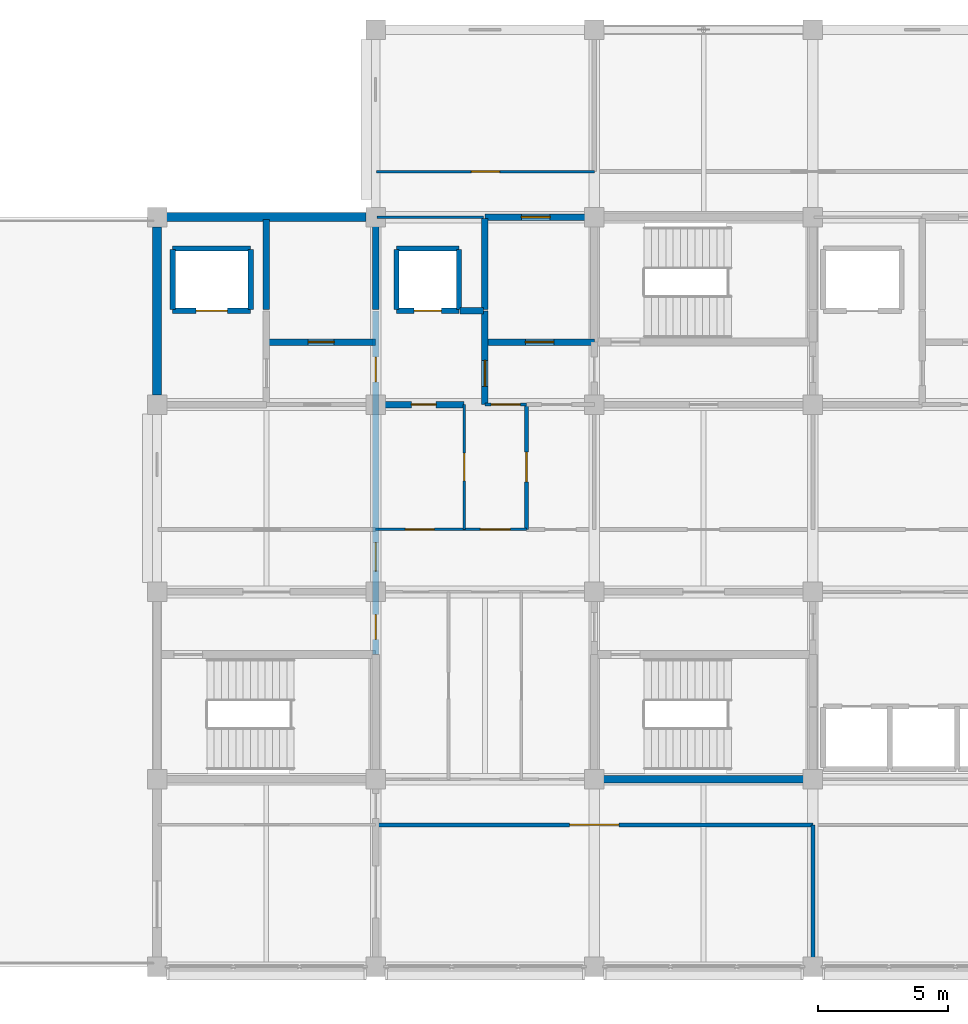
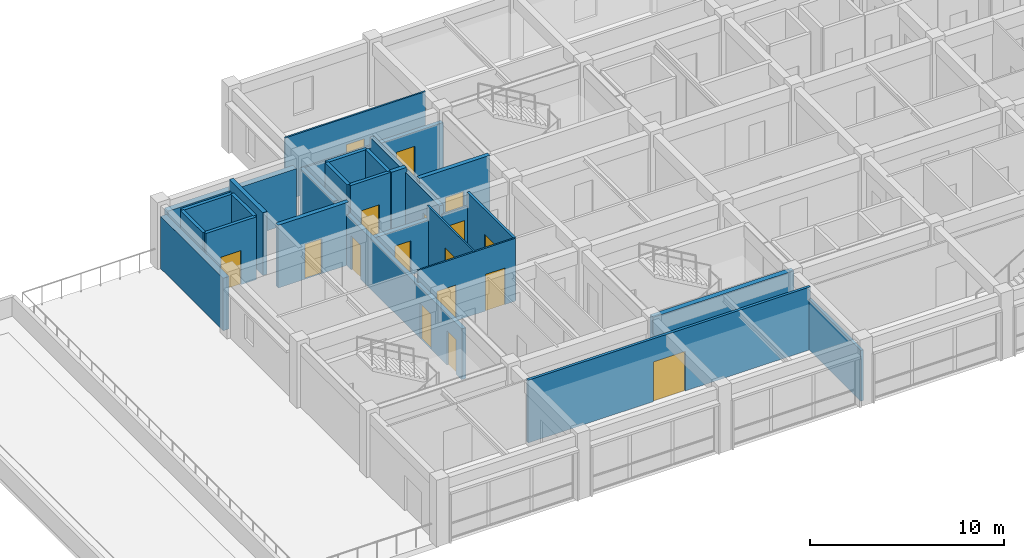
# One storey, part 15 of 27: 29 walls, 17 doors, 17 openings.
"""IFC4 building model written with IfcOpenShell, lengths in metres."""

from ifc_helpers import new_model, si_unit, direction, frame, frame_2d, origin, place, context, subcontext, project, spatial, rectangle, extrude, material, layer, layer_set, type_object, element, fill, save


model = new_model("IFC4")

# Units and contexts
model_context = context("Model", 3, precision=1e-05, world=origin(), true_north=direction((0.0, 1.0)))
body_context = subcontext(model_context, "Body", "Model", "MODEL_VIEW")
ifc_project = project(units=[si_unit("LENGTHUNIT", "METRE"), si_unit("AREAUNIT", "SQUARE_METRE"), si_unit("VOLUMEUNIT", "CUBIC_METRE"), si_unit("PLANEANGLEUNIT", "RADIAN"), si_unit("MASSUNIT", "GRAM", prefix="KILO")], contexts=[model_context])

# Site, building, storey
site_placement = place(None, origin())
site = spatial("IfcSite", under=ifc_project, at=site_placement, CompositionType="ELEMENT")
building_placement = place(site_placement, origin())
building = spatial("IfcBuilding", under=site, at=building_placement, Name="Chengyuan Square Courthouse", CompositionType="ELEMENT")
storey_placement = place(building_placement, frame((0.0, 0.0, 35.10009765625)))
storey = spatial("IfcBuildingStorey", under=building, at=storey_placement, Name="L08", CompositionType="ELEMENT", Elevation=35.10009765625)

# Walls
ifc_material_1 = material(Name="Concrete C40", Category="concrete")
ifc_layer_1 = layer(ifc_material_1, 0.35009765625)
ifc_layer_set_1 = layer_set([ifc_layer_1], Name="Concrete C40")
wall_type_1 = type_object("IfcWallType", Name="WL-EW2", PredefinedType="STANDARD", material=ifc_layer_set_1)
wall_1_placement = place(storey_placement, frame((42.3701171875, 108.0, 0.0), z_axis=(0.0, 0.0, 1.0), x_axis=(1.0, 0.0, 0.0)))
element("IfcWall", 1, at=wall_1_placement, inside=storey, type_object=wall_type_1, Name="Exterior Wall WL-L08-E398", PredefinedType="STANDARD", context=body_context, shape_type="SweptSolid", body=[
    extrude(rectangle(XDim=7.659912109375, YDim=0.35009765625, at=frame_2d((3.830078125, 0.0))), origin(), (0.0, 0.0, 1.0), 3.2998046875),
])
wall_2_placement = place(storey_placement, frame((42.0, 101.169921875, 0.0), z_axis=(0.0, 0.0, 1.0), x_axis=(0.0, 1.0, 0.0)))
element("IfcWall", 2, at=wall_2_placement, inside=storey, type_object=wall_type_1, Name="Exterior Wall WL-L08-E399", PredefinedType="STANDARD", context=body_context, shape_type="SweptSolid", body=[
    extrude(rectangle(XDim=6.4599609375, YDim=0.35009765625, at=frame_2d((3.22998046875, 0.0))), origin(), (0.0, 0.0, 1.0), 3.2998046875),
])

# Wall, opening, door
ifc_layer_2 = layer(ifc_material_1, 0.25)
ifc_layer_set_2 = layer_set([ifc_layer_2], Name="Concrete C40")
wall_type_2 = type_object("IfcWallType", Name="WL-FW1", PredefinedType="STANDARD", material=ifc_layer_set_2)
wall_3_placement = place(storey_placement, frame((50.39990234375, 100.800048828125, 0.0), z_axis=(0.0, 0.0, 1.0), x_axis=(1.0, 0.0, 0.0)))
wall_3 = element("IfcWall", 3, at=wall_3_placement, inside=storey, type_object=wall_type_2, Name="Interior Wall WL-L08-I2917", PredefinedType="STANDARD", context=body_context, shape_type="SweptSolid", body=[
    extrude(rectangle(XDim=3.400146484375, YDim=0.25, at=frame_2d((1.7001953125, 0.0))), origin(), (0.0, 0.0, 1.0), 3.099853515625),
])
opening_1_placement = place(wall_3_placement, frame((1.37255859375, 0.0, 0.0)))
opening_1 = element("IfcOpeningElement", 4, at=opening_1_placement, cuts=wall_3, Name="Opening DR-2547", PredefinedType="OPENING", context=body_context, shape_type="SweptSolid", body=[
    extrude(rectangle(XDim=0.949951171875, YDim=2.14990234375, at=frame_2d((0.47509765625, 1.074951171875))), frame((0.0, 0.136962890625, 0.0), z_axis=(0.0, -1.0, 0.0), x_axis=(1.0, 0.0, 0.0)), (0.0, 0.0, 1.0), 0.27392578125),
])
ifc_material_2 = material(Name="Steel Q235B Fire Door", Category="steel")
door_type_1 = type_object("IfcDoorType", Name="DT-12", OperationType="NOTDEFINED", PredefinedType="DOOR", material=ifc_material_2)
door_1_placement = place(opening_1_placement, origin())
door_1 = element("IfcDoor", 5, at=door_1_placement, inside=storey, type_object=door_type_1, Name="Interior Door DR-2547", OperationType="SINGLE_SWING_RIGHT", OverallHeight=2.14990234375, OverallWidth=0.949951171875, PredefinedType="DOOR", context=body_context, shape_type="SweptSolid", body=[
    extrude(rectangle(XDim=0.949951171875, YDim=2.14990234375, at=frame_2d((0.47509765625, 1.074951171875))), frame((0.0, 0.02490234375, 0.0), z_axis=(0.0, -1.0, 0.0), x_axis=(1.0, 0.0, 0.0)), (0.0, 0.0, 1.0), 0.050048828125),
])
fill(opening_1, door_1)

wall_4_placement = place(storey_placement, frame((46.199951171875, 103.199951171875, 0.0), z_axis=(0.0, 0.0, 1.0), x_axis=(1.0, 0.0, 0.0)))
wall_4 = element("IfcWall", 6, at=wall_4_placement, inside=storey, type_object=wall_type_2, Name="Interior Wall WL-L08-I2929", PredefinedType="STANDARD", context=body_context, shape_type="SweptSolid", body=[
    extrude(rectangle(XDim=4.199951171875, YDim=0.25, at=frame_2d((2.10009765625, 0.0))), origin(), (0.0, 0.0, 1.0), 3.949951171875),
])
opening_2_placement = place(wall_4_placement, frame((1.60009765625, 0.0, 0.0)))
opening_2 = element("IfcOpeningElement", 7, at=opening_2_placement, cuts=wall_4, Name="Opening DR-2528", PredefinedType="OPENING", context=body_context, shape_type="SweptSolid", body=[
    extrude(rectangle(XDim=1.0, YDim=2.199951171875, at=frame_2d((0.5, 1.10009765625))), frame((0.0, 0.136962890625, 0.0), z_axis=(0.0, -1.0, 0.0), x_axis=(1.0, 0.0, 0.0)), (0.0, 0.0, 1.0), 0.27392578125),
])
door_type_2 = type_object("IfcDoorType", Name="DT-11", OperationType="NOTDEFINED", PredefinedType="DOOR", material=ifc_material_2)
door_2_placement = place(opening_2_placement, origin())
door_2 = element("IfcDoor", 8, at=door_2_placement, inside=storey, type_object=door_type_2, Name="Interior Door DR-2528", OperationType="SINGLE_SWING_RIGHT", OverallHeight=2.199951171875, OverallWidth=1.0, PredefinedType="DOOR", context=body_context, shape_type="SweptSolid", body=[
    extrude(rectangle(XDim=1.0, YDim=2.199951171875, at=frame_2d((0.5, 1.10009765625))), frame((0.0, 0.02490234375, 0.0), z_axis=(0.0, -1.0, 0.0), x_axis=(1.0, 0.0, 0.0)), (0.0, 0.0, 1.0), 0.050048828125),
])
fill(opening_2, door_2)

wall_5_placement = place(storey_placement, frame((54.60009765625, 103.199951171875, 0.0), z_axis=(0.0, 0.0, 1.0), x_axis=(1.0, 0.0, 0.0)))
wall_5 = element("IfcWall", 9, at=wall_5_placement, inside=storey, type_object=wall_type_2, Name="Interior Wall WL-L08-I2930", PredefinedType="STANDARD", context=body_context, shape_type="SweptSolid", body=[
    extrude(rectangle(XDim=4.199951171875, YDim=0.25, at=frame_2d((2.10009765625, 0.0))), origin(), (0.0, 0.0, 1.0), 3.949951171875),
])
opening_3_placement = place(wall_5_placement, frame((1.550048828125, 0.0, 0.0)))
opening_3 = element("IfcOpeningElement", 10, at=opening_3_placement, cuts=wall_5, Name="Opening DR-2548", PredefinedType="OPENING", context=body_context, shape_type="SweptSolid", body=[
    extrude(rectangle(XDim=1.10009765625, YDim=2.199951171875, at=frame_2d((0.550048828125, 1.10009765625))), frame((0.0, 0.136962890625, 0.0), z_axis=(0.0, -1.0, 0.0), x_axis=(1.0, 0.0, 0.0)), (0.0, 0.0, 1.0), 0.27392578125),
])
door_type_3 = type_object("IfcDoorType", Name="DT-10", OperationType="NOTDEFINED", PredefinedType="DOOR", material=ifc_material_2)
door_3_placement = place(opening_3_placement, origin())
door_3 = element("IfcDoor", 11, at=door_3_placement, inside=storey, type_object=door_type_3, Name="Interior Door DR-2548", OperationType="SINGLE_SWING_LEFT", OverallHeight=2.199951171875, OverallWidth=1.10009765625, PredefinedType="DOOR", context=body_context, shape_type="SweptSolid", body=[
    extrude(rectangle(XDim=1.10009765625, YDim=2.199951171875, at=frame_2d((0.550048828125, 1.10009765625))), frame((0.0, 0.02490234375, 0.0), z_axis=(0.0, -1.0, 0.0), x_axis=(1.0, 0.0, 0.0)), (0.0, 0.0, 1.0), 0.050048828125),
])
fill(opening_3, door_3)

# Wall
wall_6_placement = place(storey_placement, frame((53.64990234375, 104.39990234375, 0.0), z_axis=(0.0, 0.0, 1.0), x_axis=(1.0, 0.0, 0.0)))
element("IfcWall", 12, at=wall_6_placement, inside=storey, type_object=wall_type_2, Name="Interior Wall WL-L08-I2939", PredefinedType="STANDARD", context=body_context, shape_type="SweptSolid", body=[
    extrude(rectangle(XDim=0.900146484375, YDim=0.25, at=frame_2d((0.4501953125, 0.0))), origin(), (0.0, 0.0, 1.0), 3.949951171875),
])

# Wall, opening, door
wall_7_placement = place(storey_placement, frame((54.60009765625, 108.0, 0.0), z_axis=(0.0, 0.0, 1.0), x_axis=(1.0, 0.0, 0.0)))
wall_7 = element("IfcWall", 13, at=wall_7_placement, inside=storey, type_object=wall_type_2, Name="Interior Wall WL-L08-I2961", PredefinedType="STANDARD", context=body_context, shape_type="SweptSolid", body=[
    extrude(rectangle(XDim=4.199951171875, YDim=0.25, at=frame_2d((2.10009765625, 0.0))), origin(), (0.0, 0.0, 1.0), 3.099853515625),
])
opening_4_placement = place(wall_7_placement, frame((1.402587890625, 0.0, 0.0)))
opening_4 = element("IfcOpeningElement", 14, at=opening_4_placement, cuts=wall_7, Name="Opening DR-2551", PredefinedType="OPENING", context=body_context, shape_type="SweptSolid", body=[
    extrude(rectangle(XDim=1.10009765625, YDim=2.199951171875, at=frame_2d((0.550048828125, 1.10009765625))), frame((0.0, 0.136962890625, 0.0), z_axis=(0.0, -1.0, 0.0), x_axis=(1.0, 0.0, 0.0)), (0.0, 0.0, 1.0), 0.27392578125),
])
door_4_placement = place(opening_4_placement, origin())
door_4 = element("IfcDoor", 15, at=door_4_placement, inside=storey, type_object=door_type_3, Name="Interior Door DR-2551", OperationType="SINGLE_SWING_RIGHT", OverallHeight=2.199951171875, OverallWidth=1.10009765625, PredefinedType="DOOR", context=body_context, shape_type="SweptSolid", body=[
    extrude(rectangle(XDim=1.10009765625, YDim=2.199951171875, at=frame_2d((0.550048828125, 1.10009765625))), frame((0.0, 0.02490234375, 0.0), z_axis=(0.0, -1.0, 0.0), x_axis=(1.0, 0.0, 0.0)), (0.0, 0.0, 1.0), 0.050048828125),
])
fill(opening_4, door_4)

# Wall
wall_8_placement = place(storey_placement, frame((46.199951171875, 104.449951171875, 0.0), z_axis=(0.0, 0.0, 1.0), x_axis=(0.0, 1.0, 0.0)))
element("IfcWall", 16, at=wall_8_placement, inside=storey, type_object=wall_type_2, Name="Interior Wall WL-L08-I2981", PredefinedType="STANDARD", context=body_context, shape_type="SweptSolid", body=[
    extrude(rectangle(XDim=3.4599609375, YDim=0.25, at=frame_2d((1.72998046875, 0.0))), origin(), (0.0, 0.0, 1.0), 3.949951171875),
])

# Wall, openings, doors
wall_9_placement = place(storey_placement, frame((50.39990234375, 91.199951171875, 0.0), z_axis=(0.0, 0.0, 1.0), x_axis=(0.0, 1.0, 0.0)))
wall_9 = element("IfcWall", 17, at=wall_9_placement, inside=storey, type_object=wall_type_2, Name="Interior Wall WL-L08-I2984", PredefinedType="STANDARD", context=body_context, shape_type="SweptSolid", body=[
    extrude(rectangle(XDim=13.199951171875, YDim=0.25, at=frame_2d((6.60009765625, 0.0))), origin(), (0.0, 0.0, 1.0), 3.199951171875),
])
opening_5_placement = place(wall_9_placement, frame((0.577392578125, 0.0, 0.0)))
opening_5 = element("IfcOpeningElement", 18, at=opening_5_placement, cuts=wall_9, Name="Opening DR-2514", PredefinedType="OPENING", context=body_context, shape_type="SweptSolid", body=[
    extrude(rectangle(XDim=0.949951171875, YDim=2.14990234375, at=frame_2d((0.47509765625, 1.074951171875))), frame((0.0, 0.136962890625, 0.0), z_axis=(0.0, -1.0, 0.0), x_axis=(1.0, 0.0, 0.0)), (0.0, 0.0, 1.0), 0.27392578125),
])
opening_6_placement = place(wall_9_placement, frame((10.472412109375, 0.0, 0.0)))
opening_6 = element("IfcOpeningElement", 19, at=opening_6_placement, cuts=wall_9, Name="Opening DR-2529", PredefinedType="OPENING", context=body_context, shape_type="SweptSolid", body=[
    extrude(rectangle(XDim=0.949951171875, YDim=2.14990234375, at=frame_2d((0.47509765625, 1.074951171875))), frame((0.0, 0.136962890625, 0.0), z_axis=(0.0, -1.0, 0.0), x_axis=(1.0, 0.0, 0.0)), (0.0, 0.0, 1.0), 0.27392578125),
])
opening_7_placement = place(wall_9_placement, frame((3.197509765625, 0.0, 0.0)))
opening_7 = element("IfcOpeningElement", 20, at=opening_7_placement, cuts=wall_9, Name="Opening DR-2563", PredefinedType="OPENING", context=body_context, shape_type="SweptSolid", body=[
    extrude(rectangle(XDim=1.10009765625, YDim=2.199951171875, at=frame_2d((0.550048828125, 1.10009765625))), frame((0.0, 0.136962890625, 0.0), z_axis=(0.0, -1.0, 0.0), x_axis=(1.0, 0.0, 0.0)), (0.0, 0.0, 1.0), 0.27392578125),
])
door_5_placement = place(opening_7_placement, origin())
door_5 = element("IfcDoor", 21, at=door_5_placement, inside=storey, type_object=door_type_3, Name="Interior Door DR-2563", OperationType="SINGLE_SWING_LEFT", OverallHeight=2.199951171875, OverallWidth=1.10009765625, PredefinedType="DOOR", context=body_context, shape_type="SweptSolid", body=[
    extrude(rectangle(XDim=1.10009765625, YDim=2.199951171875, at=frame_2d((0.550048828125, 1.10009765625))), frame((0.0, 0.02490234375, 0.0), z_axis=(0.0, -1.0, 0.0), x_axis=(1.0, 0.0, 0.0)), (0.0, 0.0, 1.0), 0.050048828125),
])
fill(opening_7, door_5)
door_6_placement = place(opening_5_placement, origin())
door_6 = element("IfcDoor", 22, at=door_6_placement, inside=storey, type_object=door_type_1, Name="Interior Door DR-2514", OperationType="SINGLE_SWING_LEFT", OverallHeight=2.14990234375, OverallWidth=0.949951171875, PredefinedType="DOOR", context=body_context, shape_type="SweptSolid", body=[
    extrude(rectangle(XDim=0.949951171875, YDim=2.14990234375, at=frame_2d((0.47509765625, 1.074951171875))), frame((0.0, 0.02490234375, 0.0), z_axis=(0.0, -1.0, 0.0), x_axis=(1.0, 0.0, 0.0)), (0.0, 0.0, 1.0), 0.050048828125),
])
fill(opening_5, door_6)
door_7_placement = place(opening_6_placement, origin())
door_7 = element("IfcDoor", 23, at=door_7_placement, inside=storey, type_object=door_type_1, Name="Interior Door DR-2529", OperationType="SINGLE_SWING_LEFT", OverallHeight=2.14990234375, OverallWidth=0.949951171875, PredefinedType="DOOR", context=body_context, shape_type="SweptSolid", body=[
    extrude(rectangle(XDim=0.949951171875, YDim=2.14990234375, at=frame_2d((0.47509765625, 1.074951171875))), frame((0.0, 0.02490234375, 0.0), z_axis=(0.0, -1.0, 0.0), x_axis=(1.0, 0.0, 0.0)), (0.0, 0.0, 1.0), 0.050048828125),
])
fill(opening_6, door_7)

# Wall
wall_10_placement = place(storey_placement, frame((50.39990234375, 104.449951171875, 0.0), z_axis=(0.0, 0.0, 1.0), x_axis=(0.0, 1.0, 0.0)))
element("IfcWall", 24, at=wall_10_placement, inside=storey, type_object=wall_type_2, Name="Interior Wall WL-L08-I2985", PredefinedType="STANDARD", context=body_context, shape_type="SweptSolid", body=[
    extrude(rectangle(XDim=3.4599609375, YDim=0.25, at=frame_2d((1.72998046875, 0.0))), origin(), (0.0, 0.0, 1.0), 3.199951171875),
])

# Wall, opening, door
wall_11_placement = place(storey_placement, frame((54.60009765625, 100.800048828125, 0.0), z_axis=(0.0, 0.0, 1.0), x_axis=(0.0, 1.0, 0.0)))
wall_11 = element("IfcWall", 25, at=wall_11_placement, inside=storey, type_object=wall_type_2, Name="Interior Wall WL-L08-I2990", PredefinedType="STANDARD", context=body_context, shape_type="SweptSolid", body=[
    extrude(rectangle(XDim=3.599853515625, YDim=0.25, at=frame_2d((1.7998046875, 0.0))), origin(), (0.0, 0.0, 1.0), 3.64990234375),
])
opening_8_placement = place(wall_11_placement, frame((0.699951171875, 0.0, 0.0)))
opening_8 = element("IfcOpeningElement", 26, at=opening_8_placement, cuts=wall_11, Name="Opening DR-2546", PredefinedType="OPENING", context=body_context, shape_type="SweptSolid", body=[
    extrude(rectangle(XDim=1.0, YDim=2.199951171875, at=frame_2d((0.5, 1.10009765625))), frame((0.0, 0.136962890625, 0.0), z_axis=(0.0, -1.0, 0.0), x_axis=(1.0, 0.0, 0.0)), (0.0, 0.0, 1.0), 0.27392578125),
])
door_8_placement = place(opening_8_placement, origin())
door_8 = element("IfcDoor", 27, at=door_8_placement, inside=storey, type_object=door_type_2, Name="Interior Door DR-2546", OperationType="SINGLE_SWING_LEFT", OverallHeight=2.199951171875, OverallWidth=1.0, PredefinedType="DOOR", context=body_context, shape_type="SweptSolid", body=[
    extrude(rectangle(XDim=1.0, YDim=2.199951171875, at=frame_2d((0.5, 1.10009765625))), frame((0.0, 0.02490234375, 0.0), z_axis=(0.0, -1.0, 0.0), x_axis=(1.0, 0.0, 0.0)), (0.0, 0.0, 1.0), 0.050048828125),
])
fill(opening_8, door_8)

# Wall
wall_12_placement = place(storey_placement, frame((54.60009765625, 104.449951171875, 0.0), z_axis=(0.0, 0.0, 1.0), x_axis=(0.0, 1.0, 0.0)))
element("IfcWall", 28, at=wall_12_placement, inside=storey, type_object=wall_type_2, Name="Interior Wall WL-L08-I2991", PredefinedType="STANDARD", context=body_context, shape_type="SweptSolid", body=[
    extrude(rectangle(XDim=3.5, YDim=0.25, at=frame_2d((1.75, 0.0))), origin(), (0.0, 0.0, 1.0), 3.64990234375),
])

# Wall, opening, door
ifc_material_3 = material(Name="Acoustic Timber-Lined Gypsum Partition", Category="wood")
ifc_layer_3 = layer(ifc_material_3, 0.159912109375)
ifc_layer_set_3 = layer_set([ifc_layer_3], Name="Acoustic Timber-Lined Gypsum Partition")
wall_type_3 = type_object("IfcWallType", Name="WL-PT2", PredefinedType="STANDARD", material=ifc_layer_set_3)
wall_13_placement = place(storey_placement, frame((50.39990234375, 84.64990234375, 0.0), z_axis=(0.0, 0.0, 1.0), x_axis=(1.0, 0.0, 0.0)))
wall_13 = element("IfcWall", 29, at=wall_13_placement, inside=storey, type_object=wall_type_3, Name="Interior Wall WL-L08-I2874", PredefinedType="STANDARD", context=body_context, shape_type="SweptSolid", body=[
    extrude(rectangle(XDim=16.800048828125, YDim=0.159912109375, at=frame_2d((8.39990234375, 0.0))), origin(), (0.0, 0.0, 1.0), 3.949951171875),
])
opening_9_placement = place(wall_13_placement, frame((7.449951171875, 0.0, 0.0)))
opening_9 = element("IfcOpeningElement", 30, at=opening_9_placement, cuts=wall_13, Name="Opening DR-2625", PredefinedType="OPENING", context=body_context, shape_type="SweptSolid", body=[
    extrude(rectangle(XDim=1.89990234375, YDim=2.5, at=frame_2d((0.949951171875, 1.25))), frame((0.0, 0.092041015625, 0.0), z_axis=(0.0, -1.0, 0.0), x_axis=(1.0, 0.0, 0.0)), (0.0, 0.0, 1.0), 0.183837890625),
])
ifc_material_4 = material(Name="Acoustic Larch Veneer Double Door")
door_type_4 = type_object("IfcDoorType", Name="DT-26", OperationType="DOUBLE_DOOR_SINGLE_SWING", PredefinedType="DOOR", material=ifc_material_4)
door_9_placement = place(opening_9_placement, frame((1.89990234375, 0.0, 0.0), z_axis=(0.0, 0.0, 1.0), x_axis=(-1.0, 0.0, 0.0)))
door_9 = element("IfcDoor", 31, at=door_9_placement, inside=storey, type_object=door_type_4, Name="Interior Door DR-2625", OperationType="DOUBLE_DOOR_SINGLE_SWING", OverallHeight=2.5, OverallWidth=1.89990234375, PredefinedType="DOOR", context=body_context, shape_type="SweptSolid", body=[
    extrude(rectangle(XDim=1.89990234375, YDim=2.5, at=frame_2d((0.949951171875, 1.25))), frame((0.0, 0.02490234375, 0.0), z_axis=(0.0, -1.0, 0.0), x_axis=(1.0, 0.0, 0.0)), (0.0, 0.0, 1.0), 0.050048828125),
])
fill(opening_9, door_9)

# Wall
wall_14_placement = place(storey_placement, frame((67.199951171875, 79.239990234375, 0.0), z_axis=(0.0, 0.0, 1.0), x_axis=(0.0, 1.0, 0.0)))
element("IfcWall", 32, at=wall_14_placement, inside=storey, type_object=wall_type_3, Name="Interior Wall WL-L08-I3000", PredefinedType="STANDARD", context=body_context, shape_type="SweptSolid", body=[
    extrude(rectangle(XDim=5.409912109375, YDim=0.159912109375, at=frame_2d((2.705078125, 0.0))), origin(), (0.0, 0.0, 1.0), 3.199951171875),
])

# Wall, opening, door
ifc_material_5 = material(Name="Deliberation Room Sound-Insulated Partition")
ifc_layer_4 = layer(ifc_material_5, 0.14990234375)
ifc_layer_set_4 = layer_set([ifc_layer_4], Name="Deliberation Room Sound-Insulated Partition")
wall_type_4 = type_object("IfcWallType", Name="WL-PT3", PredefinedType="STANDARD", material=ifc_layer_set_4)
wall_15_placement = place(storey_placement, frame((56.199951171875, 96.0, 0.0), z_axis=(0.0, 0.0, 1.0), x_axis=(0.0, 1.0, 0.0)))
wall_15 = element("IfcWall", 33, at=wall_15_placement, inside=storey, type_object=wall_type_4, Name="Interior Wall WL-L08-I2993", PredefinedType="STANDARD", context=body_context, shape_type="SweptSolid", body=[
    extrude(rectangle(XDim=4.800048828125, YDim=0.14990234375, at=frame_2d((2.39990234375, 0.0))), origin(), (0.0, 0.0, 1.0), 3.949951171875),
])
opening_10_placement = place(wall_15_placement, frame((1.830078125, 0.0, 0.0)))
opening_10 = element("IfcOpeningElement", 34, at=opening_10_placement, cuts=wall_15, Name="Opening DR-2592", PredefinedType="OPENING", context=body_context, shape_type="SweptSolid", body=[
    extrude(rectangle(XDim=1.139892578125, YDim=2.39990234375, at=frame_2d((0.56982421875, 1.199951171875))), frame((0.0, 0.0869140625, 0.0), z_axis=(0.0, -1.0, 0.0), x_axis=(1.0, 0.0, 0.0)), (0.0, 0.0, 1.0), 0.173828125),
])
ifc_material_6 = material(Name="Acoustic Solid-Core Timber Door", Category="wood")
door_type_5 = type_object("IfcDoorType", Name="DT-43", OperationType="NOTDEFINED", PredefinedType="DOOR", material=ifc_material_6)
door_10_placement = place(opening_10_placement, origin())
door_10 = element("IfcDoor", 35, at=door_10_placement, inside=storey, type_object=door_type_5, Name="Interior Door DR-2592", OperationType="SINGLE_SWING_RIGHT", OverallHeight=2.39990234375, OverallWidth=1.139892578125, PredefinedType="DOOR", context=body_context, shape_type="SweptSolid", body=[
    extrude(rectangle(XDim=1.139892578125, YDim=2.39990234375, at=frame_2d((0.56982421875, 1.199951171875))), frame((0.0, 0.02490234375, 0.0), z_axis=(0.0, -1.0, 0.0), x_axis=(1.0, 0.0, 0.0)), (0.0, 0.0, 1.0), 0.050048828125),
])
fill(opening_10, door_10)

# Wall, openings, doors
ifc_material_7 = material(Name="Gypsum Plasterboard Acoustic Stud Partition")
ifc_layer_5 = layer(ifc_material_7, 0.10009765625)
ifc_layer_set_5 = layer_set([ifc_layer_5], Name="Gypsum Plasterboard Acoustic Stud Partition")
wall_type_5 = type_object("IfcWallType", Name="WL-PT6", PredefinedType="STANDARD", material=ifc_layer_set_5)
wall_16_placement = place(storey_placement, frame((50.39990234375, 96.0, 0.0), z_axis=(0.0, 0.0, 1.0), x_axis=(1.0, 0.0, 0.0)))
wall_16 = element("IfcWall", 36, at=wall_16_placement, inside=storey, type_object=wall_type_5, Name="Interior Wall WL-L08-I2909", PredefinedType="STANDARD", context=body_context, shape_type="SweptSolid", body=[
    extrude(rectangle(XDim=5.800048828125, YDim=0.10009765625, at=frame_2d((2.89990234375, 0.0))), origin(), (0.0, 0.0, 1.0), 3.949951171875),
])
opening_11_placement = place(wall_16_placement, frame((1.139892578125, 0.0, 0.0)))
opening_11 = element("IfcOpeningElement", 37, at=opening_11_placement, cuts=wall_16, Name="Opening DR-2566", PredefinedType="OPENING", context=body_context, shape_type="SweptSolid", body=[
    extrude(rectangle(XDim=1.1201171875, YDim=2.25, at=frame_2d((0.56005859375, 1.125))), frame((0.0, 0.06201171875, 0.0), z_axis=(0.0, -1.0, 0.0), x_axis=(1.0, 0.0, 0.0)), (0.0, 0.0, 1.0), 0.1240234375),
])
opening_12_placement = place(wall_16_placement, frame((4.02001953125, 0.0, 0.0)))
opening_12 = element("IfcOpeningElement", 38, at=opening_12_placement, cuts=wall_16, Name="Opening DR-2567", PredefinedType="OPENING", context=body_context, shape_type="SweptSolid", body=[
    extrude(rectangle(XDim=1.159912109375, YDim=2.300048828125, at=frame_2d((0.580078125, 1.14990234375))), frame((0.0, 0.06201171875, 0.0), z_axis=(0.0, -1.0, 0.0), x_axis=(1.0, 0.0, 0.0)), (0.0, 0.0, 1.0), 0.1240234375),
])
door_type_6 = type_object("IfcDoorType", Name="DT-34", OperationType="NOTDEFINED", PredefinedType="DOOR", material=ifc_material_6)
door_11_placement = place(opening_11_placement, origin())
door_11 = element("IfcDoor", 39, at=door_11_placement, inside=storey, type_object=door_type_6, Name="Interior Door DR-2566", OperationType="SINGLE_SWING_RIGHT", OverallHeight=2.25, OverallWidth=1.1201171875, PredefinedType="DOOR", context=body_context, shape_type="SweptSolid", body=[
    extrude(rectangle(XDim=1.1201171875, YDim=2.25, at=frame_2d((0.56005859375, 1.125))), frame((0.0, 0.02490234375, 0.0), z_axis=(0.0, -1.0, 0.0), x_axis=(1.0, 0.0, 0.0)), (0.0, 0.0, 1.0), 0.050048828125),
])
fill(opening_11, door_11)
door_type_7 = type_object("IfcDoorType", Name="DT-35", OperationType="NOTDEFINED", PredefinedType="DOOR", material=ifc_material_6)
door_12_placement = place(opening_12_placement, origin())
door_12 = element("IfcDoor", 40, at=door_12_placement, inside=storey, type_object=door_type_7, Name="Interior Door DR-2567", OperationType="SINGLE_SWING_LEFT", OverallHeight=2.300048828125, OverallWidth=1.159912109375, PredefinedType="DOOR", context=body_context, shape_type="SweptSolid", body=[
    extrude(rectangle(XDim=1.159912109375, YDim=2.300048828125, at=frame_2d((0.580078125, 1.14990234375))), frame((0.0, 0.02490234375, 0.0), z_axis=(0.0, -1.0, 0.0), x_axis=(1.0, 0.0, 0.0)), (0.0, 0.0, 1.0), 0.050048828125),
])
fill(opening_12, door_12)

# Wall, opening, door
wall_17_placement = place(storey_placement, frame((54.60009765625, 100.800048828125, 0.0), z_axis=(0.0, 0.0, 1.0), x_axis=(1.0, 0.0, 0.0)))
wall_17 = element("IfcWall", 41, at=wall_17_placement, inside=storey, type_object=wall_type_5, Name="Interior Wall WL-L08-I2918", PredefinedType="STANDARD", context=body_context, shape_type="SweptSolid", body=[
    extrude(rectangle(XDim=1.599853515625, YDim=0.10009765625, at=frame_2d((0.7998046875, 0.0))), origin(), (0.0, 0.0, 1.0), 3.099853515625),
])
opening_13_placement = place(wall_17_placement, frame((0.239990234375, 0.0, 0.0)))
opening_13 = element("IfcOpeningElement", 42, at=opening_13_placement, cuts=wall_17, Name="Opening DR-2549", PredefinedType="OPENING", context=body_context, shape_type="SweptSolid", body=[
    extrude(rectangle(XDim=1.1201171875, YDim=2.25, at=frame_2d((0.56005859375, 1.125))), frame((0.0, 0.06201171875, 0.0), z_axis=(0.0, -1.0, 0.0), x_axis=(1.0, 0.0, 0.0)), (0.0, 0.0, 1.0), 0.1240234375),
])
door_13_placement = place(opening_13_placement, origin())
door_13 = element("IfcDoor", 43, at=door_13_placement, inside=storey, type_object=door_type_6, Name="Interior Door DR-2549", OperationType="SINGLE_SWING_RIGHT", OverallHeight=2.25, OverallWidth=1.1201171875, PredefinedType="DOOR", context=body_context, shape_type="SweptSolid", body=[
    extrude(rectangle(XDim=1.1201171875, YDim=2.25, at=frame_2d((0.56005859375, 1.125))), frame((0.0, 0.02490234375, 0.0), z_axis=(0.0, -1.0, 0.0), x_axis=(1.0, 0.0, 0.0)), (0.0, 0.0, 1.0), 0.050048828125),
])
fill(opening_13, door_13)

# Wall
wall_18_placement = place(storey_placement, frame((50.449951171875, 108.0, 0.0), z_axis=(0.0, 0.0, 1.0), x_axis=(1.0, 0.0, 0.0)))
element("IfcWall", 44, at=wall_18_placement, inside=storey, type_object=wall_type_5, Name="Interior Wall WL-L08-I2960", PredefinedType="STANDARD", context=body_context, shape_type="SweptSolid", body=[
    extrude(rectangle(XDim=4.10009765625, YDim=0.10009765625, at=frame_2d((2.050048828125, 0.0))), origin(), (0.0, 0.0, 1.0), 3.099853515625),
])

# Wall, opening, door
wall_19_placement = place(storey_placement, frame((50.43994140625, 109.75, 0.0), z_axis=(0.0, 0.0, 1.0), x_axis=(1.0, 0.0, 0.0)))
wall_19 = element("IfcWall", 45, at=wall_19_placement, inside=storey, type_object=wall_type_5, Name="Interior Wall WL-L08-I2973", PredefinedType="STANDARD", context=body_context, shape_type="SweptSolid", body=[
    extrude(rectangle(XDim=8.360107421875, YDim=0.10009765625, at=frame_2d((4.18017578125, 0.0))), origin(), (0.0, 0.0, 1.0), 3.949951171875),
])
opening_14_placement = place(wall_19_placement, frame((3.639892578125, 0.0, 0.0)))
opening_14 = element("IfcOpeningElement", 46, at=opening_14_placement, cuts=wall_19, Name="Opening DR-2616", PredefinedType="OPENING", context=body_context, shape_type="SweptSolid", body=[
    extrude(rectangle(XDim=1.080078125, YDim=2.25, at=frame_2d((0.5400390625, 1.125))), frame((0.0, 0.06201171875, 0.0), z_axis=(0.0, -1.0, 0.0), x_axis=(1.0, 0.0, 0.0)), (0.0, 0.0, 1.0), 0.1240234375),
])
door_type_8 = type_object("IfcDoorType", Name="DT-33", OperationType="NOTDEFINED", PredefinedType="DOOR", material=ifc_material_6)
door_14_placement = place(opening_14_placement, origin())
door_14 = element("IfcDoor", 47, at=door_14_placement, inside=storey, type_object=door_type_8, Name="Interior Door DR-2616", OperationType="SINGLE_SWING_LEFT", OverallHeight=2.25, OverallWidth=1.080078125, PredefinedType="DOOR", context=body_context, shape_type="SweptSolid", body=[
    extrude(rectangle(XDim=1.080078125, YDim=2.25, at=frame_2d((0.5400390625, 1.125))), frame((0.0, 0.02490234375, 0.0), z_axis=(0.0, -1.0, 0.0), x_axis=(1.0, 0.0, 0.0)), (0.0, 0.0, 1.0), 0.050048828125),
])
fill(opening_14, door_14)

wall_20_placement = place(storey_placement, frame((53.800048828125, 96.0, 0.0), z_axis=(0.0, 0.0, 1.0), x_axis=(0.0, 1.0, 0.0)))
wall_20 = element("IfcWall", 48, at=wall_20_placement, inside=storey, type_object=wall_type_5, Name="Interior Wall WL-L08-I2989", PredefinedType="STANDARD", context=body_context, shape_type="SweptSolid", body=[
    extrude(rectangle(XDim=4.800048828125, YDim=0.10009765625, at=frame_2d((2.39990234375, 0.0))), origin(), (0.0, 0.0, 1.0), 3.949951171875),
])
opening_15_placement = place(wall_20_placement, frame((1.8701171875, 0.0, 0.0)))
opening_15 = element("IfcOpeningElement", 49, at=opening_15_placement, cuts=wall_20, Name="Opening DR-2591", PredefinedType="OPENING", context=body_context, shape_type="SweptSolid", body=[
    extrude(rectangle(XDim=1.06005859375, YDim=2.39990234375, at=frame_2d((0.530029296875, 1.199951171875))), frame((0.0, 0.06201171875, 0.0), z_axis=(0.0, -1.0, 0.0), x_axis=(1.0, 0.0, 0.0)), (0.0, 0.0, 1.0), 0.1240234375),
])
door_type_9 = type_object("IfcDoorType", Name="DT-42", OperationType="NOTDEFINED", PredefinedType="DOOR", material=ifc_material_6)
door_15_placement = place(opening_15_placement, origin())
door_15 = element("IfcDoor", 50, at=door_15_placement, inside=storey, type_object=door_type_9, Name="Interior Door DR-2591", OperationType="SINGLE_SWING_LEFT", OverallHeight=2.39990234375, OverallWidth=1.06005859375, PredefinedType="DOOR", context=body_context, shape_type="SweptSolid", body=[
    extrude(rectangle(XDim=1.06005859375, YDim=2.39990234375, at=frame_2d((0.530029296875, 1.199951171875))), frame((0.0, 0.02490234375, 0.0), z_axis=(0.0, -1.0, 0.0), x_axis=(1.0, 0.0, 0.0)), (0.0, 0.0, 1.0), 0.050048828125),
])
fill(opening_15, door_15)

ifc_material_8 = material(Name="Reinforced Masonry Shaft Enclosure", Category="masonry")
ifc_layer_6 = layer(ifc_material_8, 0.199951171875)
ifc_layer_set_6 = layer_set([ifc_layer_6], Name="Reinforced Masonry Shaft Enclosure")
wall_type_6 = type_object("IfcWallType", Name="WL-SH1", PredefinedType="STANDARD", material=ifc_layer_set_6)
wall_21_placement = place(storey_placement, frame((42.60009765625, 104.39990234375, 0.0), z_axis=(0.0, 0.0, 1.0), x_axis=(1.0, 0.0, 0.0)))
wall_21 = element("IfcWall", 51, at=wall_21_placement, inside=storey, type_object=wall_type_6, Name="Interior Wall WL-L08-I2937", PredefinedType="STANDARD", context=body_context, shape_type="SweptSolid", body=[
    extrude(rectangle(XDim=3.0, YDim=0.199951171875, at=frame_2d((1.5, 0.0))), origin(), (0.0, 0.0, 1.0), 3.949951171875),
])
opening_16_placement = place(wall_21_placement, frame((0.89990234375, 0.0, 0.0)))
opening_16 = element("IfcOpeningElement", 52, at=opening_16_placement, cuts=wall_21, Name="Opening LD-135", PredefinedType="OPENING", context=body_context, shape_type="SweptSolid", body=[
    extrude(rectangle(XDim=1.199951171875, YDim=2.14990234375, at=frame_2d((0.60009765625, 1.074951171875))), frame((0.0, 0.112060546875, 0.0), z_axis=(0.0, -1.0, 0.0), x_axis=(1.0, 0.0, 0.0)), (0.0, 0.0, 1.0), 0.223876953125),
])
ifc_material_9 = material(Name="Stainless Steel S30408 Lift Landing Door", Category="steel")
door_type_10 = type_object("IfcDoorType", Name="DT-05", OperationType="DOUBLE_DOOR_SLIDING", PredefinedType="DOOR", material=ifc_material_9)
door_16_placement = place(opening_16_placement, origin())
door_16 = element("IfcDoor", 53, at=door_16_placement, inside=storey, type_object=door_type_10, Name="Lift Landing Door LF-F3 L08", OperationType="DOUBLE_DOOR_SLIDING", OverallHeight=2.14990234375, OverallWidth=1.199951171875, PredefinedType="DOOR", context=body_context, shape_type="SweptSolid", body=[
    extrude(rectangle(XDim=1.199951171875, YDim=2.14990234375, at=frame_2d((0.60009765625, 1.074951171875))), frame((0.0, 0.02490234375, 0.0), z_axis=(0.0, -1.0, 0.0), x_axis=(1.0, 0.0, 0.0)), (0.0, 0.0, 1.0), 0.050048828125),
])
fill(opening_16, door_16)

wall_22_placement = place(storey_placement, frame((51.199951171875, 104.39990234375, 0.0), z_axis=(0.0, 0.0, 1.0), x_axis=(1.0, 0.0, 0.0)))
wall_22 = element("IfcWall", 54, at=wall_22_placement, inside=storey, type_object=wall_type_6, Name="Interior Wall WL-L08-I2938", PredefinedType="STANDARD", context=body_context, shape_type="SweptSolid", body=[
    extrude(rectangle(XDim=2.400146484375, YDim=0.199951171875, at=frame_2d((1.2001953125, 0.0))), origin(), (0.0, 0.0, 1.0), 3.949951171875),
])
opening_17_placement = place(wall_22_placement, frame((0.675048828125, 0.0, 0.0)))
opening_17 = element("IfcOpeningElement", 55, at=opening_17_placement, cuts=wall_22, Name="Opening LD-147", PredefinedType="OPENING", context=body_context, shape_type="SweptSolid", body=[
    extrude(rectangle(XDim=1.050048828125, YDim=2.14990234375, at=frame_2d((0.52490234375, 1.074951171875))), frame((0.0, 0.112060546875, 0.0), z_axis=(0.0, -1.0, 0.0), x_axis=(1.0, 0.0, 0.0)), (0.0, 0.0, 1.0), 0.223876953125),
])
door_type_11 = type_object("IfcDoorType", Name="DT-08", OperationType="DOUBLE_DOOR_SLIDING", PredefinedType="DOOR", material=ifc_material_9)
door_17_placement = place(opening_17_placement, origin())
door_17 = element("IfcDoor", 56, at=door_17_placement, inside=storey, type_object=door_type_11, Name="Lift Landing Door LF-C1 L08", OperationType="DOUBLE_DOOR_SLIDING", OverallHeight=2.14990234375, OverallWidth=1.050048828125, PredefinedType="DOOR", context=body_context, shape_type="SweptSolid", body=[
    extrude(rectangle(XDim=1.050048828125, YDim=2.14990234375, at=frame_2d((0.52490234375, 1.074951171875))), frame((0.0, 0.02490234375, 0.0), z_axis=(0.0, -1.0, 0.0), x_axis=(1.0, 0.0, 0.0)), (0.0, 0.0, 1.0), 0.050048828125),
])
fill(opening_17, door_17)

# Walls
wall_23_placement = place(storey_placement, frame((42.60009765625, 106.800048828125, 0.0), z_axis=(0.0, 0.0, 1.0), x_axis=(1.0, 0.0, 0.0)))
element("IfcWall", 57, at=wall_23_placement, inside=storey, type_object=wall_type_6, Name="Interior Wall WL-L08-I2950", PredefinedType="STANDARD", context=body_context, shape_type="SweptSolid", body=[
    extrude(rectangle(XDim=3.0, YDim=0.199951171875, at=frame_2d((1.5, 0.0))), origin(), (0.0, 0.0, 1.0), 3.949951171875),
])
wall_24_placement = place(storey_placement, frame((51.199951171875, 106.800048828125, 0.0), z_axis=(0.0, 0.0, 1.0), x_axis=(1.0, 0.0, 0.0)))
element("IfcWall", 58, at=wall_24_placement, inside=storey, type_object=wall_type_6, Name="Interior Wall WL-L08-I2951", PredefinedType="STANDARD", context=body_context, shape_type="SweptSolid", body=[
    extrude(rectangle(XDim=2.400146484375, YDim=0.199951171875, at=frame_2d((1.2001953125, 0.0))), origin(), (0.0, 0.0, 1.0), 3.949951171875),
])
for number, where, z_axis, x_axis, name in (
    (59, (42.60009765625, 104.449951171875, 0.0), (0.0, 0.0, 1.0), (0.0, 1.0, 0.0), "Interior Wall WL-L08-I2978"),
    (60, (45.60009765625, 104.449951171875, 0.0), (0.0, 0.0, 1.0), (0.0, 1.0, 0.0), "Interior Wall WL-L08-I2979"),
    (61, (51.199951171875, 104.449951171875, 0.0), (0.0, 0.0, 1.0), (0.0, 1.0, 0.0), "Interior Wall WL-L08-I2986"),
    (62, (53.60009765625, 104.449951171875, 0.0), (0.0, 0.0, 1.0), (0.0, 1.0, 0.0), "Interior Wall WL-L08-I2988"),
):
    element("IfcWall", number, at=place(storey_placement, frame(where, z_axis=z_axis, x_axis=x_axis)), inside=storey, type_object=wall_type_6, Name=name, PredefinedType="STANDARD", context=body_context, shape_type="SweptSolid", body=[
        extrude(rectangle(XDim=2.300048828125, YDim=0.199951171875, at=frame_2d((1.14990234375, 0.0))), origin(), (0.0, 0.0, 1.0), 3.949951171875),
    ])
ifc_layer_7 = layer(ifc_material_1, 0.300048828125)
ifc_layer_set_7 = layer_set([ifc_layer_7], Name="Concrete C40")
wall_type_7 = type_object("IfcWallType", Name="WL-SW2", PredefinedType="SHEAR", material=ifc_layer_set_7)
wall_25_placement = place(storey_placement, frame((58.800048828125, 86.39990234375, 0.0), z_axis=(0.0, 0.0, 1.0), x_axis=(1.0, 0.0, 0.0)))
element("IfcWall", 63, at=wall_25_placement, inside=storey, type_object=wall_type_7, Name="Interior Wall WL-L08-I2880", PredefinedType="SHEAR", context=body_context, shape_type="SweptSolid", body=[
    extrude(rectangle(XDim=8.39990234375, YDim=0.300048828125, at=frame_2d((4.199951171875, 0.0))), origin(), (0.0, 0.0, 1.0), 3.949951171875),
])

save(model, "model.ifc")
